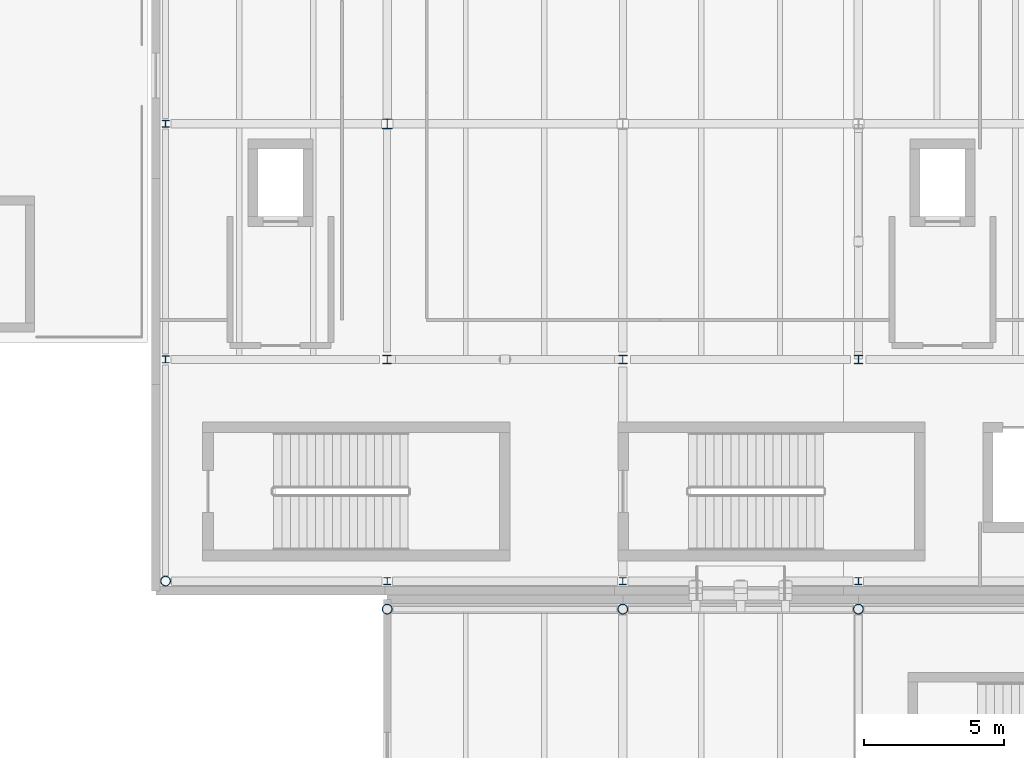
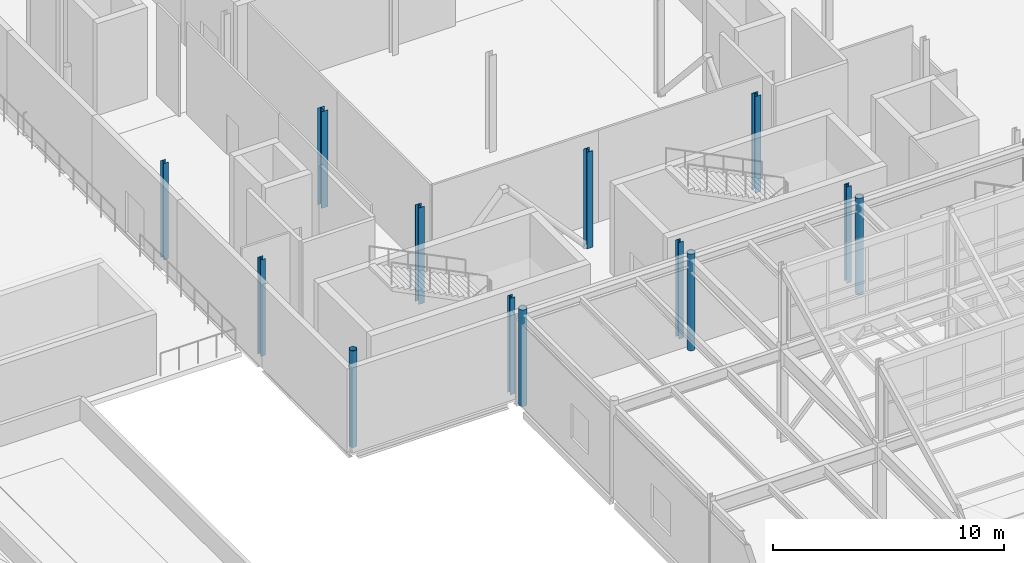
# One storey, part 7 of 91: 13 columns.
"""IFC4 building model written with IfcOpenShell, lengths in metres."""

from ifc_helpers import new_model, si_unit, direction, frame, origin, origin_2d, place, context, subcontext, project, spatial, hollow_circle, i_section, extrude, material, material_profile, profile_set, type_object, element, save


model = new_model("IFC4")

# Units and contexts
model_context = context("Model", 3, precision=1e-05, world=origin(), true_north=direction((0.0, 1.0)))
body_context = subcontext(model_context, "Body", "Model", "MODEL_VIEW")
ifc_project = project(units=[si_unit("LENGTHUNIT", "METRE"), si_unit("AREAUNIT", "SQUARE_METRE"), si_unit("VOLUMEUNIT", "CUBIC_METRE"), si_unit("PLANEANGLEUNIT", "RADIAN"), si_unit("MASSUNIT", "GRAM", prefix="KILO"), si_unit("THERMODYNAMICTEMPERATUREUNIT", "KELVIN")], contexts=[model_context])

# Site, building, storey
site_placement = place(None, origin())
site = spatial("IfcSite", under=ifc_project, at=site_placement, CompositionType="ELEMENT")
building_placement = place(site_placement, origin())
building = spatial("IfcBuilding", under=site, at=building_placement, Name="Lustrewick Department Store", CompositionType="ELEMENT")
storey_placement = place(building_placement, frame((0.0, 0.0, 21.60009765625)))
storey = spatial("IfcBuildingStorey", under=building, at=storey_placement, Name="L05", CompositionType="ELEMENT", Elevation=21.60009765625)

# Columns
ifc_material = material(Name="Structural steel Q355B", Category="steel")
ifc_material_profile_1 = material_profile(ifc_material, i_section(OverallWidth=0.347900390625, OverallDepth=0.343994140625, WebThickness=0.010009765625, FlangeThickness=0.01611328125, FilletRadius=0.02001953125, at=origin_2d()), Name="HW 344x348x10x16")
ifc_profile_set_1 = profile_set([ifc_material_profile_1], Name="Structural steel Q355B")
column_type_1 = type_object("IfcColumnType", Name="C14", PredefinedType="COLUMN", material=ifc_profile_set_1)
column_placement = place(storey_placement, frame((117.60009765625, 67.199951171875, 0.0), z_axis=(0.0, 0.0, 1.0), x_axis=(1.0, 0.0, 0.0)))
element("IfcColumn", 1, at=column_placement, inside=storey, type_object=column_type_1, Name="L05 V4 Column C14", PredefinedType="COLUMN", context=body_context, shape_type="SweptSolid", body=[
    extrude(i_section(OverallWidth=0.347900390625, OverallDepth=0.343994140625, WebThickness=0.010009765625, FlangeThickness=0.01611328125, FilletRadius=0.02001953125, at=origin_2d()), origin(), (0.0, 0.0, 1.0), 5.099853515625),
])
ifc_material_profile_2 = material_profile(ifc_material, i_section(OverallWidth=0.300048828125, OverallDepth=0.300048828125, WebThickness=0.010009765625, FlangeThickness=0.014892578125, FilletRadius=0.01806640625, at=origin_2d()), Name="HW 300x300x10x15")
ifc_profile_set_2 = profile_set([ifc_material_profile_2], Name="Structural steel Q355B")
column_type_2 = type_object("IfcColumnType", Name="C15", PredefinedType="COLUMN", material=ifc_profile_set_2)
for number, where, z_axis, x_axis, name in (
    (2, (117.60009765625, 58.800048828125, 0.0), (0.0, 0.0, 1.0), (1.0, 0.0, 0.0), "L05 V4 Column C15"),
    (3, (126.0, 58.800048828125, 0.0), (0.0, 0.0, 1.0), (1.0, 0.0, 0.0), "L05 V4 Column C15"),
    (4, (134.39990234375, 58.800048828125, 0.0), (0.0, 0.0, 1.0), (1.0, 0.0, 0.0), "L05 V4 Column C15"),
):
    element("IfcColumn", number, at=place(storey_placement, frame(where, z_axis=z_axis, x_axis=x_axis)), inside=storey, type_object=column_type_2, Name=name, PredefinedType="COLUMN", context=body_context, shape_type="SweptSolid", body=[
        extrude(i_section(OverallWidth=0.300048828125, OverallDepth=0.300048828125, WebThickness=0.010009765625, FlangeThickness=0.014892578125, FilletRadius=0.01806640625, at=origin_2d()), origin(), (0.0, 0.0, 1.0), 5.099853515625),
    ])
ifc_material_profile_3 = material_profile(ifc_material, hollow_circle(Radius=0.177978515625, WallThickness=0.013916015625, at=origin_2d()), Name="CHS 356x14")
ifc_profile_set_3 = profile_set([ifc_material_profile_3], Name="Structural steel Q355B")
column_type_3 = type_object("IfcColumnType", Name="CE05", PredefinedType="COLUMN", material=ifc_profile_set_3)
for number, where, z_axis, x_axis, name in (
    (5, (117.60009765625, 49.89990234375, 0.0), (0.0, 0.0, 1.0), (1.0, 0.0, 0.0), "L05 V3 Column CE05"),
    (6, (126.0, 49.89990234375, 0.0), (0.0, 0.0, 1.0), (1.0, 0.0, 0.0), "L05 V3 Column CE05"),
    (7, (134.39990234375, 49.89990234375, 0.0), (0.0, 0.0, 1.0), (1.0, 0.0, 0.0), "L05 V3 Column CE05"),
    (8, (109.699951171875, 50.89990234375, 0.0), (0.0, 0.0, 1.0), (1.0, 0.0, 0.0), "L05 V4 Column CE05"),
):
    element("IfcColumn", number, at=place(storey_placement, frame(where, z_axis=z_axis, x_axis=x_axis)), inside=storey, type_object=column_type_3, Name=name, PredefinedType="COLUMN", context=body_context, shape_type="SweptSolid", body=[
        extrude(hollow_circle(Radius=0.177978515625, WallThickness=0.013916015625, at=origin_2d()), origin(), (0.0, 0.0, 1.0), 5.099853515625),
    ])
ifc_material_profile_4 = material_profile(ifc_material, i_section(OverallWidth=0.25, OverallDepth=0.25, WebThickness=0.009033203125, FlangeThickness=0.013916015625, FilletRadius=0.01611328125, at=origin_2d()), Name="HW 250x250x9x14")
ifc_profile_set_4 = profile_set([ifc_material_profile_4], Name="Structural steel Q355B")
column_type_4 = type_object("IfcColumnType", Name="CE08", PredefinedType="COLUMN", material=ifc_profile_set_4)
for number, where, z_axis, x_axis, name in (
    (9, (109.699951171875, 58.800048828125, 0.0), (0.0, 0.0, 1.0), (1.0, 0.0, 0.0), "L05 V4 Column CE08"),
    (10, (109.699951171875, 67.199951171875, 0.0), (0.0, 0.0, 1.0), (1.0, 0.0, 0.0), "L05 V4 Column CE08"),
    (11, (117.60009765625, 50.89990234375, 0.0), (0.0, 0.0, 1.0), (1.0, 0.0, 0.0), "L05 V4 Column CE08"),
    (12, (126.0, 50.89990234375, 0.0), (0.0, 0.0, 1.0), (1.0, 0.0, 0.0), "L05 V4 Column CE08"),
    (13, (134.39990234375, 50.89990234375, 0.0), (0.0, 0.0, 1.0), (1.0, 0.0, 0.0), "L05 V4 Column CE08"),
):
    element("IfcColumn", number, at=place(storey_placement, frame(where, z_axis=z_axis, x_axis=x_axis)), inside=storey, type_object=column_type_4, Name=name, PredefinedType="COLUMN", context=body_context, shape_type="SweptSolid", body=[
        extrude(i_section(OverallWidth=0.25, OverallDepth=0.25, WebThickness=0.009033203125, FlangeThickness=0.013916015625, FilletRadius=0.01611328125, at=origin_2d()), origin(), (0.0, 0.0, 1.0), 5.099853515625),
    ])

save(model, "model.ifc")
